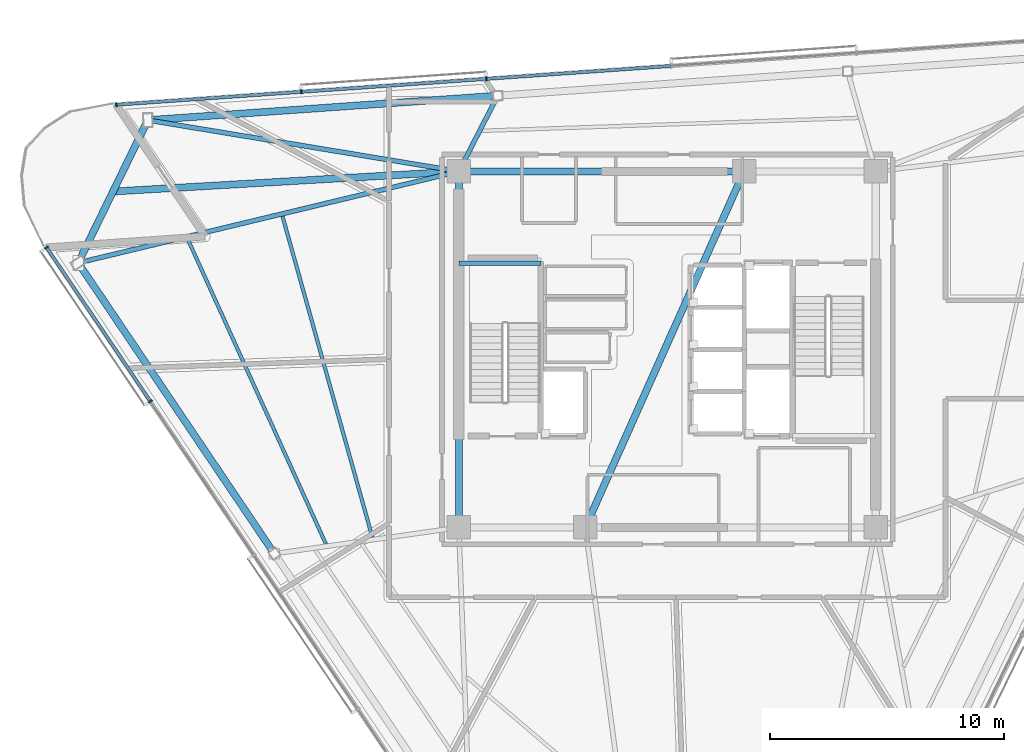
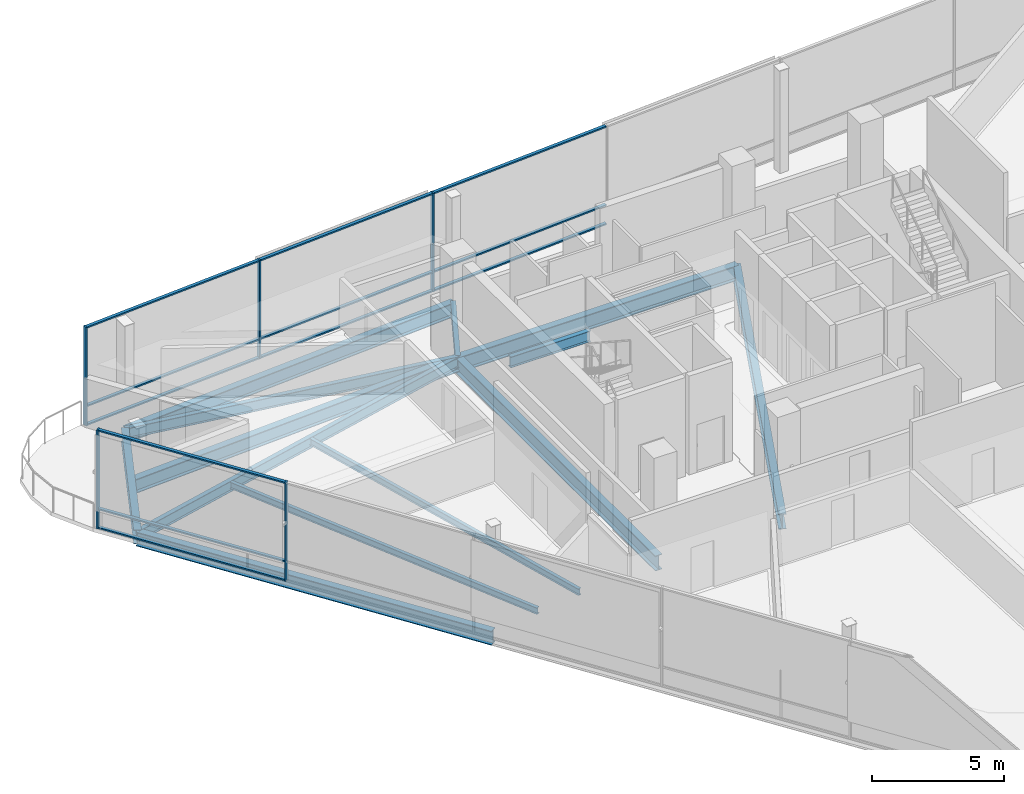
# One storey, part 5 of 16: 17 members, 13 beams, 2 elements without a shape of their own.
"""IFC4 building model written with IfcOpenShell, lengths in metres."""

from ifc_helpers import new_model, si_unit, direction, frame, origin, origin_2d, place, context, subcontext, project, spatial, rectangle, i_section, extrude, material, layer, layer_set, material_profile, profile_set, type_object, element, aggregate, save


model = new_model("IFC4")

# Units and contexts
model_context = context("Model", 3, precision=1e-05, world=origin(), true_north=direction((0.0, 1.0)))
body_context = subcontext(model_context, "Body", "Model", "MODEL_VIEW")
ifc_project = project(units=[si_unit("LENGTHUNIT", "METRE"), si_unit("AREAUNIT", "SQUARE_METRE"), si_unit("VOLUMEUNIT", "CUBIC_METRE"), si_unit("PLANEANGLEUNIT", "RADIAN"), si_unit("MASSUNIT", "GRAM", prefix="KILO")], contexts=[model_context])

# Site, building, storey
site_placement = place(None, origin())
site = spatial("IfcSite", under=ifc_project, at=site_placement, CompositionType="ELEMENT")
building_placement = place(site_placement, origin())
building = spatial("IfcBuilding", under=site, at=building_placement, Name="Tharavind Bronze Gate", CompositionType="ELEMENT")
storey_placement = place(building_placement, frame((0.0, 0.0, 275.0)))
storey = spatial("IfcBuildingStorey", under=building, at=storey_placement, Name="L71", CompositionType="ELEMENT", Elevation=275.0)

# Curtain wall, members
ifc_material_1 = material(Name="Anodised Bronze Aluminium", Category="aluminium")
ifc_layer = layer(ifc_material_1, 0.219970703125)
ifc_layer_set = layer_set([ifc_layer], Name="Anodised Bronze Aluminium")
curtain_wall_type = type_object("IfcCurtainWallType", Name="UNITISED CURTAIN WALL UPPER OFFICE", PredefinedType="USERDEFINED", material=ifc_layer_set)
curtain_wall_1_placement = place(storey_placement, origin())
curtain_wall_1 = element("IfcCurtainWall", 1, at=curtain_wall_1_placement, inside=storey, type_object=curtain_wall_type, Name="L71 unitised curtain wall upper office CW-L71-S1", ObjectType="UNITISED CURTAIN WALL", PredefinedType="USERDEFINED")
member_type_1 = type_object("IfcMemberType", Name="CURTAIN WALL BRONZE MULLION 65X180", PredefinedType="MULLION", material=ifc_material_1)
member_1_placement = place(storey_placement, frame((-26.498046875, 4.352294921875, 0.0), z_axis=(0.0, 0.0, 1.0), x_axis=(0.559191456526, -0.82903854853, 0.0)))
member_1 = element("IfcMember", 2, at=member_1_placement, type_object=member_type_1, Name="CW-L71-S1 mullion 1", PredefinedType="MULLION", context=body_context, shape_type="SweptSolid", body=[
    extrude(rectangle(XDim=0.06494140625, YDim=0.179931640625, at=origin_2d()), origin(), (0.0, 0.0, 1.0), 4.56005859375),
])
member_2_placement = place(storey_placement, frame((-22.069091796875, -2.214111328125, 0.0), z_axis=(0.0, 0.0, 1.0), x_axis=(0.559191456526, -0.82903854853, 0.0)))
member_2 = element("IfcMember", 3, at=member_2_placement, type_object=member_type_1, Name="CW-L71-S1 mullion 2", PredefinedType="MULLION", context=body_context, shape_type="SweptSolid", body=[
    extrude(rectangle(XDim=0.06494140625, YDim=0.179931640625, at=origin_2d()), origin(), (0.0, 0.0, 1.0), 4.56005859375),
])

curtain_wall_2_placement = place(storey_placement, origin())
curtain_wall_2 = element("IfcCurtainWall", 4, at=curtain_wall_2_placement, inside=storey, type_object=curtain_wall_type, Name="L71 unitised curtain wall upper office CW-L71-S3", ObjectType="UNITISED CURTAIN WALL", PredefinedType="USERDEFINED")
member_3_placement = place(storey_placement, frame((-7.7236328125, 11.551025390625, 0.0), z_axis=(0.0, 0.0, 1.0), x_axis=(-0.997563806758, -0.069759955899, 0.0)))
member_3 = element("IfcMember", 5, at=member_3_placement, type_object=member_type_1, Name="CW-L71-S3 mullion 5", PredefinedType="MULLION", context=body_context, shape_type="SweptSolid", body=[
    extrude(rectangle(XDim=0.06494140625, YDim=0.179931640625, at=origin_2d()), origin(), (0.0, 0.0, 1.0), 4.56005859375),
])
member_4_placement = place(storey_placement, frame((-15.624755859375, 10.99853515625, 0.0), z_axis=(0.0, 0.0, 1.0), x_axis=(-0.997563806758, -0.069759955899, 0.0)))
member_4 = element("IfcMember", 6, at=member_4_placement, type_object=member_type_1, Name="CW-L71-S3 mullion 6", PredefinedType="MULLION", context=body_context, shape_type="SweptSolid", body=[
    extrude(rectangle(XDim=0.06494140625, YDim=0.179931640625, at=origin_2d()), origin(), (0.0, 0.0, 1.0), 4.56005859375),
])
member_5_placement = place(storey_placement, frame((-23.52587890625, 10.446044921875, 0.0), z_axis=(0.0, 0.0, 1.0), x_axis=(-0.997563806758, -0.069759955899, 0.0)))
member_5 = element("IfcMember", 7, at=member_5_placement, type_object=member_type_1, Name="CW-L71-S3 mullion 7", PredefinedType="MULLION", context=body_context, shape_type="SweptSolid", body=[
    extrude(rectangle(XDim=0.06494140625, YDim=0.179931640625, at=origin_2d()), origin(), (0.0, 0.0, 1.0), 4.56005859375),
])

# Member
member_type_2 = type_object("IfcMemberType", Name="CURTAIN WALL BRONZE TRANSOM 65X140", PredefinedType="USERDEFINED", material=ifc_material_1)
member_6_placement = place(storey_placement, frame((-24.283447265625, 1.069091796875, 0.0), z_axis=(0.0, 0.0, 1.0), x_axis=(0.559191456526, -0.82903854853, 0.0)))
member_6 = element("IfcMember", 8, at=member_6_placement, type_object=member_type_2, Name="CW-L71-S1 transom TB1", ObjectType="TRANSOM", PredefinedType="USERDEFINED", context=body_context, shape_type="SweptSolid", body=[
    extrude(rectangle(XDim=7.8671875, YDim=0.139892578125, at=origin_2d()), origin(), (0.0, 0.0, 1.0), 0.06494140625),
])

member_7_placement = place(storey_placement, frame((-24.283447265625, 1.069091796875, 0.867431640625), z_axis=(0.0, 0.0, 1.0), x_axis=(0.559191456526, -0.82903854853, 0.0)))
member_7 = element("IfcMember", 9, at=member_7_placement, type_object=member_type_2, Name="CW-L71-S1 transom TS1", ObjectType="TRANSOM", PredefinedType="USERDEFINED", context=body_context, shape_type="SweptSolid", body=[
    extrude(rectangle(XDim=7.8671875, YDim=0.139892578125, at=origin_2d()), origin(), (0.0, 0.0, 1.0), 0.06494140625),
])

member_8_placement = place(storey_placement, frame((-24.283447265625, 1.069091796875, 4.4951171875), z_axis=(0.0, 0.0, 1.0), x_axis=(0.559191456526, -0.82903854853, 0.0)))
member_8 = element("IfcMember", 10, at=member_8_placement, type_object=member_type_2, Name="CW-L71-S1 transom TT1", ObjectType="TRANSOM", PredefinedType="USERDEFINED", context=body_context, shape_type="SweptSolid", body=[
    extrude(rectangle(XDim=7.8671875, YDim=0.139892578125, at=origin_2d()), origin(), (0.0, 0.0, 1.0), 0.06494140625),
])

aggregate(curtain_wall_1, [member_1, member_2, member_6, member_7, member_8])

member_9_placement = place(storey_placement, frame((-3.773193359375, 11.827392578125, 0.0), z_axis=(0.0, 0.0, 1.0), x_axis=(-0.997563806758, -0.069759955899, 0.0)))
member_9 = element("IfcMember", 11, at=member_9_placement, type_object=member_type_2, Name="CW-L71-S3 transom TB4", ObjectType="TRANSOM", PredefinedType="USERDEFINED", context=body_context, shape_type="SweptSolid", body=[
    extrude(rectangle(XDim=7.8671875, YDim=0.139892578125, at=origin_2d()), origin(), (0.0, 0.0, 1.0), 0.06494140625),
])

member_10_placement = place(storey_placement, frame((-3.773193359375, 11.827392578125, 0.867431640625), z_axis=(0.0, 0.0, 1.0), x_axis=(-0.997563806758, -0.069759955899, 0.0)))
member_10 = element("IfcMember", 12, at=member_10_placement, type_object=member_type_2, Name="CW-L71-S3 transom TS4", ObjectType="TRANSOM", PredefinedType="USERDEFINED", context=body_context, shape_type="SweptSolid", body=[
    extrude(rectangle(XDim=7.8671875, YDim=0.139892578125, at=origin_2d()), origin(), (0.0, 0.0, 1.0), 0.06494140625),
])

member_11_placement = place(storey_placement, frame((-3.773193359375, 11.827392578125, 4.4951171875), z_axis=(0.0, 0.0, 1.0), x_axis=(-0.997563806758, -0.069759955899, 0.0)))
member_11 = element("IfcMember", 13, at=member_11_placement, type_object=member_type_2, Name="CW-L71-S3 transom TT4", ObjectType="TRANSOM", PredefinedType="USERDEFINED", context=body_context, shape_type="SweptSolid", body=[
    extrude(rectangle(XDim=7.8671875, YDim=0.139892578125, at=origin_2d()), origin(), (0.0, 0.0, 1.0), 0.06494140625),
])

member_12_placement = place(storey_placement, frame((-11.67431640625, 11.27490234375, 0.0), z_axis=(0.0, 0.0, 1.0), x_axis=(-0.997563806758, -0.069759955899, 0.0)))
member_12 = element("IfcMember", 14, at=member_12_placement, type_object=member_type_2, Name="CW-L71-S3 transom TB5", ObjectType="TRANSOM", PredefinedType="USERDEFINED", context=body_context, shape_type="SweptSolid", body=[
    extrude(rectangle(XDim=7.8671875, YDim=0.139892578125, at=origin_2d()), origin(), (0.0, 0.0, 1.0), 0.06494140625),
])

member_13_placement = place(storey_placement, frame((-11.67431640625, 11.27490234375, 0.867431640625), z_axis=(0.0, 0.0, 1.0), x_axis=(-0.997563806758, -0.069759955899, 0.0)))
member_13 = element("IfcMember", 15, at=member_13_placement, type_object=member_type_2, Name="CW-L71-S3 transom TS5", ObjectType="TRANSOM", PredefinedType="USERDEFINED", context=body_context, shape_type="SweptSolid", body=[
    extrude(rectangle(XDim=7.8671875, YDim=0.139892578125, at=origin_2d()), origin(), (0.0, 0.0, 1.0), 0.06494140625),
])

member_14_placement = place(storey_placement, frame((-11.67431640625, 11.27490234375, 4.4951171875), z_axis=(0.0, 0.0, 1.0), x_axis=(-0.997563806758, -0.069759955899, 0.0)))
member_14 = element("IfcMember", 16, at=member_14_placement, type_object=member_type_2, Name="CW-L71-S3 transom TT5", ObjectType="TRANSOM", PredefinedType="USERDEFINED", context=body_context, shape_type="SweptSolid", body=[
    extrude(rectangle(XDim=7.8671875, YDim=0.139892578125, at=origin_2d()), origin(), (0.0, 0.0, 1.0), 0.06494140625),
])

member_15_placement = place(storey_placement, frame((-19.5751953125, 10.722412109375, 0.0), z_axis=(0.0, 0.0, 1.0), x_axis=(-0.997563806758, -0.069759955899, 0.0)))
member_15 = element("IfcMember", 17, at=member_15_placement, type_object=member_type_2, Name="CW-L71-S3 transom TB6", ObjectType="TRANSOM", PredefinedType="USERDEFINED", context=body_context, shape_type="SweptSolid", body=[
    extrude(rectangle(XDim=7.8671875, YDim=0.139892578125, at=origin_2d()), origin(), (0.0, 0.0, 1.0), 0.06494140625),
])

member_16_placement = place(storey_placement, frame((-19.5751953125, 10.722412109375, 0.867431640625), z_axis=(0.0, 0.0, 1.0), x_axis=(-0.997563806758, -0.069759955899, 0.0)))
member_16 = element("IfcMember", 18, at=member_16_placement, type_object=member_type_2, Name="CW-L71-S3 transom TS6", ObjectType="TRANSOM", PredefinedType="USERDEFINED", context=body_context, shape_type="SweptSolid", body=[
    extrude(rectangle(XDim=7.8671875, YDim=0.139892578125, at=origin_2d()), origin(), (0.0, 0.0, 1.0), 0.06494140625),
])

member_17_placement = place(storey_placement, frame((-19.5751953125, 10.722412109375, 4.4951171875), z_axis=(0.0, 0.0, 1.0), x_axis=(-0.997563806758, -0.069759955899, 0.0)))
member_17 = element("IfcMember", 19, at=member_17_placement, type_object=member_type_2, Name="CW-L71-S3 transom TT6", ObjectType="TRANSOM", PredefinedType="USERDEFINED", context=body_context, shape_type="SweptSolid", body=[
    extrude(rectangle(XDim=7.8671875, YDim=0.139892578125, at=origin_2d()), origin(), (0.0, 0.0, 1.0), 0.06494140625),
])

aggregate(curtain_wall_2, [member_3, member_4, member_5, member_9, member_10, member_11, member_12, member_13, member_14, member_15, member_16, member_17])

# Beams
ifc_material_2 = material(Name="Steel S355", Category="steel")
ifc_material_profile_1 = material_profile(ifc_material_2, i_section(OverallWidth=0.300048828125, OverallDepth=0.64990234375, WebThickness=0.01611328125, FlangeThickness=0.031005859375, at=origin_2d()), Name="HE650B")
ifc_profile_set_1 = profile_set([ifc_material_profile_1], Name="Steel S355")
beam_type_1 = type_object("IfcBeamType", Name="PRIMARY GIRDER HE650B", PredefinedType="USERDEFINED", material=ifc_profile_set_1)
beam_1_placement = place(storey_placement, frame((-25.14990234375, 3.694580078125, -0.5048828125), z_axis=(0.559195614283, -0.829035744083, 0.0), x_axis=(0.829035744083, 0.559195614283, 0.0)))
element("IfcBeam", 20, at=beam_1_placement, inside=storey, type_object=beam_type_1, Name="L71 primary girder he650b BM-L71-PRG01", ObjectType="GIRDER", PredefinedType="USERDEFINED", context=body_context, shape_type="SweptSolid", body=[
    extrude(i_section(OverallWidth=0.300048828125, OverallDepth=0.64990234375, WebThickness=0.01611328125, FlangeThickness=0.031005859375, at=origin_2d()), origin(), (0.0, 0.0, 1.0), 14.974609375),
])
beam_2_placement = place(storey_placement, frame((-7.239501953125, 10.8330078125, -0.5048828125), z_axis=(-0.997564665038, -0.069747681447, 0.0), x_axis=(0.069747681447, -0.997564665038, 0.0)))
element("IfcBeam", 21, at=beam_2_placement, inside=storey, type_object=beam_type_1, Name="L71 primary girder he650b BM-L71-PRG11", ObjectType="GIRDER", PredefinedType="USERDEFINED", context=body_context, shape_type="SweptSolid", body=[
    extrude(i_section(OverallWidth=0.300048828125, OverallDepth=0.64990234375, WebThickness=0.01611328125, FlangeThickness=0.031005859375, at=origin_2d()), origin(), (0.0, 0.0, 1.0), 14.974365234375),
])
beam_3_placement = place(storey_placement, frame((-22.177490234375, 9.78857421875, -0.5048828125), z_axis=(-0.438391707719, -0.898784017772, 0.0), x_axis=(0.898784017772, -0.438391707719, 0.0)))
element("IfcBeam", 22, at=beam_3_placement, inside=storey, type_object=beam_type_1, Name="L71 primary girder he650b BM-L71-PRG12", ObjectType="GIRDER", PredefinedType="USERDEFINED", context=body_context, shape_type="SweptSolid", body=[
    extrude(i_section(OverallWidth=0.300048828125, OverallDepth=0.64990234375, WebThickness=0.01611328125, FlangeThickness=0.031005859375, at=origin_2d()), origin(), (0.0, 0.0, 1.0), 6.7802734375),
])
beam_4_placement = place(storey_placement, frame((-8.89990234375, 7.60009765625, -0.5048828125), z_axis=(-0.998314047526, -0.058043625934, 0.0), x_axis=(0.058043625934, -0.998314047526, 0.0)))
element("IfcBeam", 23, at=beam_4_placement, inside=storey, type_object=beam_type_1, Name="L71 primary girder he650b BM-L71-BLCSB", ObjectType="GIRDER", PredefinedType="USERDEFINED", context=body_context, shape_type="SweptSolid", body=[
    extrude(i_section(OverallWidth=0.300048828125, OverallDepth=0.64990234375, WebThickness=0.01611328125, FlangeThickness=0.031005859375, at=origin_2d()), origin(), (0.0, 0.0, 1.0), 14.788818359375),
])
ifc_material_profile_2 = material_profile(ifc_material_2, i_section(OverallWidth=0.199951171875, OverallDepth=0.5, WebThickness=0.01025390625, FlangeThickness=0.01611328125, at=origin_2d()), Name="IPE500")
ifc_profile_set_2 = profile_set([ifc_material_profile_2], Name="Steel S355")
beam_type_2 = type_object("IfcBeamType", Name="PRIMARY GIRDER IPE500", PredefinedType="USERDEFINED", material=ifc_profile_set_2)
beam_5_placement = place(storey_placement, frame((-8.89990234375, 3.679931640625, 1.925048828125), z_axis=(1.0, 0.0, 0.0), x_axis=(0.0, 1.0, 0.0)))
element("IfcBeam", 24, at=beam_5_placement, inside=storey, type_object=beam_type_2, Name="L71 primary girder ipe500 BM-LD-ST1-L71-1", ObjectType="GIRDER", PredefinedType="USERDEFINED", context=body_context, shape_type="SweptSolid", body=[
    extrude(i_section(OverallWidth=0.199951171875, OverallDepth=0.5, WebThickness=0.01025390625, FlangeThickness=0.01611328125, at=origin_2d()), origin(), (0.0, 0.0, 1.0), 3.5),
])
beam_6_placement = place(storey_placement, frame((-25.14990234375, 3.694580078125, -0.429931640625), z_axis=(0.97231233309, 0.23368510205, 0.0), x_axis=(-0.23368510205, 0.97231233309, 0.0)))
element("IfcBeam", 25, at=beam_6_placement, inside=storey, type_object=beam_type_2, Name="L71 primary girder ipe500 BM-L71-RAD01", ObjectType="GIRDER", PredefinedType="USERDEFINED", context=body_context, shape_type="SweptSolid", body=[
    extrude(i_section(OverallWidth=0.199951171875, OverallDepth=0.5, WebThickness=0.01025390625, FlangeThickness=0.01611328125, at=origin_2d()), origin(), (0.0, 0.0, 1.0), 16.712646484375),
])
beam_7_placement = place(storey_placement, frame((-7.239501953125, 10.8330078125, -0.429931640625), z_axis=(-0.45686071546, -0.889538243511, 0.0), x_axis=(0.889538243511, -0.45686071546, 0.0)))
element("IfcBeam", 26, at=beam_7_placement, inside=storey, type_object=beam_type_2, Name="L71 primary girder ipe500 BM-L71-RAD11", ObjectType="GIRDER", PredefinedType="USERDEFINED", context=body_context, shape_type="SweptSolid", body=[
    extrude(i_section(OverallWidth=0.199951171875, OverallDepth=0.5, WebThickness=0.01025390625, FlangeThickness=0.01611328125, at=origin_2d()), origin(), (0.0, 0.0, 1.0), 3.63427734375),
])
beam_8_placement = place(storey_placement, frame((-22.177490234375, 9.78857421875, -0.429931640625), z_axis=(0.986687034236, -0.16263055208, 0.0), x_axis=(0.16263055208, 0.986687034236, 0.0)))
element("IfcBeam", 27, at=beam_8_placement, inside=storey, type_object=beam_type_2, Name="L71 primary girder ipe500 BM-L71-RAD12", ObjectType="GIRDER", PredefinedType="USERDEFINED", context=body_context, shape_type="SweptSolid", body=[
    extrude(i_section(OverallWidth=0.199951171875, OverallDepth=0.5, WebThickness=0.01025390625, FlangeThickness=0.01611328125, at=origin_2d()), origin(), (0.0, 0.0, 1.0), 13.456787109375),
])
ifc_material_profile_3 = material_profile(ifc_material_2, i_section(OverallWidth=0.300048828125, OverallDepth=0.699951171875, WebThickness=0.01708984375, FlangeThickness=0.031982421875, at=origin_2d()), Name="HE700B")
ifc_profile_set_3 = profile_set([ifc_material_profile_3], Name="Steel S355")
beam_type_3 = type_object("IfcBeamType", Name="RING GIRDER HE700B", PredefinedType="USERDEFINED", material=ifc_profile_set_3)
beam_9_placement = place(storey_placement, frame((3.280029296875, 7.60009765625, -0.530029296875), z_axis=(-1.0, 0.0, 0.0), x_axis=(0.0, -1.0, 0.0)))
element("IfcBeam", 28, at=beam_9_placement, inside=storey, type_object=beam_type_3, Name="L71 ring girder he700b BM-L71-CR5", ObjectType="GIRDER", PredefinedType="USERDEFINED", context=body_context, shape_type="SweptSolid", body=[
    extrude(i_section(OverallWidth=0.300048828125, OverallDepth=0.699951171875, WebThickness=0.01708984375, FlangeThickness=0.031982421875, at=origin_2d()), origin(), (0.0, 0.0, 1.0), 12.179931640625),
])
beam_10_placement = place(storey_placement, frame((-8.89990234375, 7.60009765625, -0.530029296875), z_axis=(0.0, -1.0, 0.0), x_axis=(1.0, 0.0, 0.0)))
element("IfcBeam", 29, at=beam_10_placement, inside=storey, type_object=beam_type_3, Name="L71 ring girder he700b BM-L71-CR6", ObjectType="GIRDER", PredefinedType="USERDEFINED", context=body_context, shape_type="SweptSolid", body=[
    extrude(i_section(OverallWidth=0.300048828125, OverallDepth=0.699951171875, WebThickness=0.01708984375, FlangeThickness=0.031982421875, at=origin_2d()), origin(), (0.0, 0.0, 1.0), 15.2001953125),
])
beam_11_placement = place(storey_placement, frame((-3.5, -7.60009765625, -0.530029296875), z_axis=(0.407361644566, 0.913266932795, 0.0), x_axis=(-0.913266932795, 0.407361644566, 0.0)))
element("IfcBeam", 30, at=beam_11_placement, inside=storey, type_object=beam_type_3, Name="L71 ring girder he700b BM-L71-CR7", ObjectType="GIRDER", PredefinedType="USERDEFINED", context=body_context, shape_type="SweptSolid", body=[
    extrude(i_section(OverallWidth=0.300048828125, OverallDepth=0.699951171875, WebThickness=0.01708984375, FlangeThickness=0.031982421875, at=origin_2d()), origin(), (0.0, 0.0, 1.0), 16.643798828125),
])
ifc_material_profile_4 = material_profile(ifc_material_2, i_section(OverallWidth=0.14990234375, OverallDepth=0.300048828125, WebThickness=0.007080078125, FlangeThickness=0.0107421875, at=origin_2d()), Name="IPE300")
ifc_profile_set_4 = profile_set([ifc_material_profile_4], Name="Steel S355")
beam_type_4 = type_object("IfcBeamType", Name="SECONDARY FLOOR JOIST IPE300", PredefinedType="JOIST", material=ifc_profile_set_4)
beam_12_placement = place(storey_placement, frame((-16.427978515625, 5.683837890625, -0.330078125), z_axis=(0.26963947071, -0.96296134701, 0.0), x_axis=(0.96296134701, 0.26963947071, 0.0)))
element("IfcBeam", 31, at=beam_12_placement, inside=storey, type_object=beam_type_4, Name="L71 secondary floor joist ipe300 BM-L71-JSTA01", PredefinedType="JOIST", context=body_context, shape_type="SweptSolid", body=[
    extrude(i_section(OverallWidth=0.14990234375, OverallDepth=0.300048828125, WebThickness=0.007080078125, FlangeThickness=0.0107421875, at=origin_2d()), origin(), (0.0, 0.0, 1.0), 14.230712890625),
])
beam_13_placement = place(storey_placement, frame((-20.47509765625, 4.711181640625, -0.330078125), z_axis=(0.412859068065, -0.910794921987, 0.0), x_axis=(0.910794921987, 0.412859068065, 0.0)))
element("IfcBeam", 32, at=beam_13_placement, inside=storey, type_object=beam_type_4, Name="L71 secondary floor joist ipe300 BM-L71-JSTB01", PredefinedType="JOIST", context=body_context, shape_type="SweptSolid", body=[
    extrude(i_section(OverallWidth=0.14990234375, OverallDepth=0.300048828125, WebThickness=0.007080078125, FlangeThickness=0.0107421875, at=origin_2d()), origin(), (0.0, 0.0, 1.0), 14.2880859375),
])

save(model, "model.ifc")
